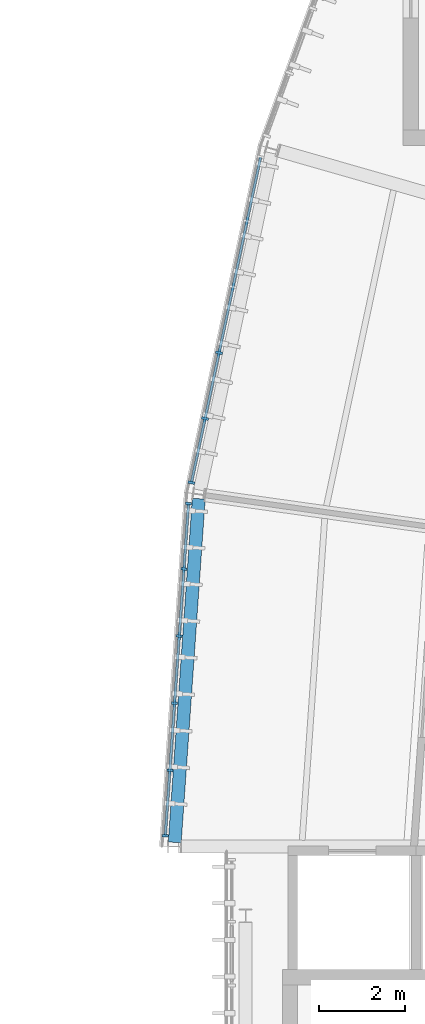
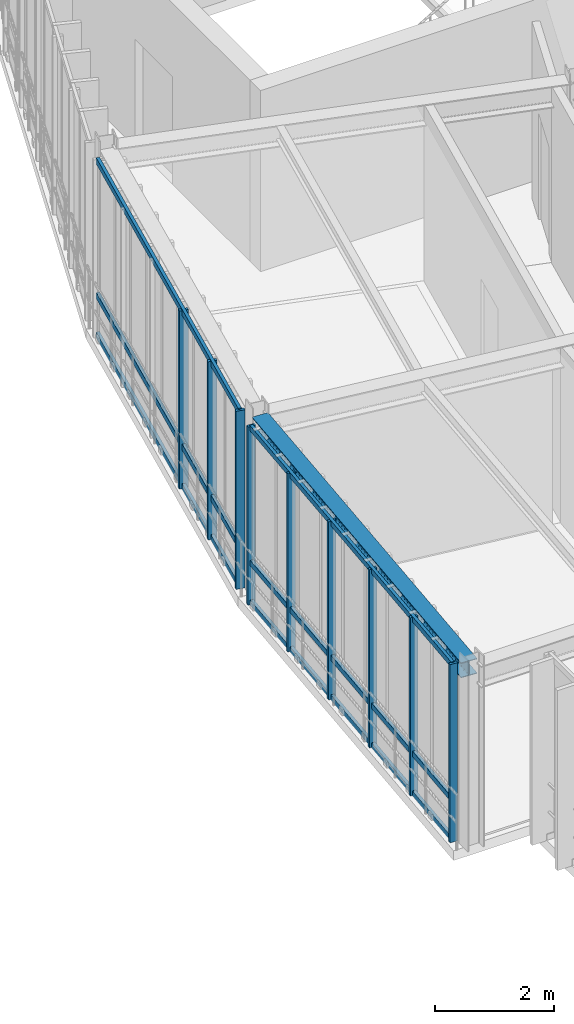
# One storey, part 7 of 42: 15 members, 1 beam, 2 elements without a shape of their own.
"""IFC4 building model written with IfcOpenShell, lengths in metres."""

from ifc_helpers import new_model, si_unit, direction, frame, origin, origin_2d, place, context, subcontext, project, spatial, rectangle, i_section, extrude, material, layer, layer_set, material_profile, profile_set, type_object, element, aggregate, save


model = new_model("IFC4")

# Units and contexts
model_context = context("Model", 3, precision=1e-05, world=origin(), true_north=direction((0.0, 1.0)))
body_context = subcontext(model_context, "Body", "Model", "MODEL_VIEW")
ifc_project = project(units=[si_unit("LENGTHUNIT", "METRE"), si_unit("AREAUNIT", "SQUARE_METRE"), si_unit("VOLUMEUNIT", "CUBIC_METRE"), si_unit("PLANEANGLEUNIT", "RADIAN"), si_unit("MASSUNIT", "GRAM", prefix="KILO"), si_unit("THERMODYNAMICTEMPERATUREUNIT", "KELVIN"), si_unit("POWERUNIT", "WATT")], contexts=[model_context])

# Site, building, storey
site_placement = place(None, origin())
site = spatial("IfcSite", under=ifc_project, at=site_placement, CompositionType="ELEMENT")
building_placement = place(site_placement, origin())
building = spatial("IfcBuilding", under=site, at=building_placement, Name="Solvatero Civic Police Headquarters", CompositionType="ELEMENT")
storey_placement = place(building_placement, frame((0.0, 0.0, 21.60009765625)))
storey = spatial("IfcBuildingStorey", under=building, at=storey_placement, Name="L05", CompositionType="ELEMENT", Elevation=21.60009765625)

# Beam
ifc_material_1 = material(Name="Steel S355", Category="steel")
ifc_material_profile_1 = material_profile(ifc_material_1, i_section(OverallWidth=0.300048828125, OverallDepth=0.31005859375, WebThickness=0.009033203125, FlangeThickness=0.015380859375, FilletRadius=0.027099609375, at=origin_2d()), Name="HEA 320")
ifc_profile_set_1 = profile_set([ifc_material_profile_1], Name="Steel S355")
beam_type = type_object("IfcBeamType", Name="BM-ST-HEA320", PredefinedType="SPANDREL", material=ifc_profile_set_1)
beam_placement = place(storey_placement, frame((35.913818359375, 34.062744140625, 3.544921875), z_axis=(-0.06976460332, -0.997563481751, 0.0), x_axis=(0.997563481751, -0.06976460332, 0.0)))
element("IfcBeam", 1, at=beam_placement, inside=storey, type_object=beam_type, Name="Perimeter / radial spandrel beam BM-R2-L05-ARC-COUT-B12", PredefinedType="SPANDREL", context=body_context, shape_type="SweptSolid", body=[
    extrude(i_section(OverallWidth=0.300048828125, OverallDepth=0.31005859375, WebThickness=0.009033203125, FlangeThickness=0.015380859375, FilletRadius=0.027099609375, at=origin_2d()), origin(), (0.0, 0.0, 1.0), 7.982421875),
])

# Curtain wall, members
ifc_material_2 = material(Name="Anodized Bronze Aluminium", Category="aluminium")
ifc_layer = layer(ifc_material_2, 0.179931640625)
ifc_layer_set = layer_set([ifc_layer], Name="Anodized Bronze Aluminium")
curtain_wall_type = type_object("IfcCurtainWallType", Name="CW-ARC-OUT", PredefinedType="USERDEFINED", material=ifc_layer_set)
curtain_wall_1_placement = place(storey_placement, origin())
curtain_wall_1 = element("IfcCurtainWall", 2, at=curtain_wall_1_placement, inside=storey, type_object=curtain_wall_type, Name="Curtain Wall CW-R2-L05-ARC-OUT-B12", ObjectType="UNITISED", PredefinedType="USERDEFINED")
ifc_material_profile_2 = material_profile(ifc_material_2, rectangle(XDim=0.06005859375, YDim=0.139892578125, at=origin_2d()), Name="ALU MULLION 60x140")
ifc_profile_set_2 = profile_set([ifc_material_profile_2], Name="Anodized Bronze Aluminium")
member_type_1 = type_object("IfcMemberType", Name="CWM-160x65", PredefinedType="MULLION", material=ifc_profile_set_2)
member_1_placement = place(storey_placement, frame((35.67578125, 33.94921875, 0.0), z_axis=(0.0, 0.0, 1.0), x_axis=(-0.069739062956, -0.997565267588, 0.0)))
member_1 = element("IfcMember", 3, at=member_1_placement, type_object=member_type_1, Name="CW-R2-L05-ARC-OUT-B12 Mullion 1", PredefinedType="MULLION", context=body_context, shape_type="SweptSolid", body=[
    extrude(rectangle(XDim=0.06005859375, YDim=0.139892578125, at=origin_2d()), origin(), (0.0, 0.0, 1.0), 3.639892578125),
])
member_2_placement = place(storey_placement, frame((35.56982421875, 32.434326171875, 0.0), z_axis=(0.0, 0.0, 1.0), x_axis=(-0.069739062956, -0.997565267588, 0.0)))
member_2 = element("IfcMember", 4, at=member_2_placement, type_object=member_type_1, Name="CW-R2-L05-ARC-OUT-B12 Mullion 2", PredefinedType="MULLION", context=body_context, shape_type="SweptSolid", body=[
    extrude(rectangle(XDim=0.06005859375, YDim=0.139892578125, at=origin_2d()), origin(), (0.0, 0.0, 1.0), 3.639892578125),
])
member_3_placement = place(storey_placement, frame((35.461181640625, 30.879638671875, 0.0), z_axis=(0.0, 0.0, 1.0), x_axis=(-0.069739062956, -0.997565267588, 0.0)))
member_3 = element("IfcMember", 5, at=member_3_placement, type_object=member_type_1, Name="CW-R2-L05-ARC-OUT-B12 Mullion 3", PredefinedType="MULLION", context=body_context, shape_type="SweptSolid", body=[
    extrude(rectangle(XDim=0.06005859375, YDim=0.139892578125, at=origin_2d()), origin(), (0.0, 0.0, 1.0), 3.639892578125),
])
member_4_placement = place(storey_placement, frame((35.3525390625, 29.324951171875, 0.0), z_axis=(0.0, 0.0, 1.0), x_axis=(-0.069739062956, -0.997565267588, 0.0)))
member_4 = element("IfcMember", 6, at=member_4_placement, type_object=member_type_1, Name="CW-R2-L05-ARC-OUT-B12 Mullion 4", PredefinedType="MULLION", context=body_context, shape_type="SweptSolid", body=[
    extrude(rectangle(XDim=0.06005859375, YDim=0.139892578125, at=origin_2d()), origin(), (0.0, 0.0, 1.0), 3.639892578125),
])
member_5_placement = place(storey_placement, frame((35.243896484375, 27.770263671875, 0.0), z_axis=(0.0, 0.0, 1.0), x_axis=(-0.069739062956, -0.997565267588, 0.0)))
member_5 = element("IfcMember", 7, at=member_5_placement, type_object=member_type_1, Name="CW-R2-L05-ARC-OUT-B12 Mullion 5", PredefinedType="MULLION", context=body_context, shape_type="SweptSolid", body=[
    extrude(rectangle(XDim=0.06005859375, YDim=0.139892578125, at=origin_2d()), origin(), (0.0, 0.0, 1.0), 3.639892578125),
])
member_6_placement = place(storey_placement, frame((35.1376953125, 26.25537109375, 0.0), z_axis=(0.0, 0.0, 1.0), x_axis=(-0.069739062956, -0.997565267588, 0.0)))
member_6 = element("IfcMember", 8, at=member_6_placement, type_object=member_type_1, Name="CW-R2-L05-ARC-OUT-B12 Mullion 6", PredefinedType="MULLION", context=body_context, shape_type="SweptSolid", body=[
    extrude(rectangle(XDim=0.06005859375, YDim=0.139892578125, at=origin_2d()), origin(), (0.0, 0.0, 1.0), 3.639892578125),
])

curtain_wall_2_placement = place(storey_placement, origin())
curtain_wall_2 = element("IfcCurtainWall", 9, at=curtain_wall_2_placement, inside=storey, type_object=curtain_wall_type, Name="Curtain Wall CW-R2-L05-ARC-OUT-B11", ObjectType="UNITISED", PredefinedType="USERDEFINED")
ifc_material_profile_3 = material_profile(ifc_material_2, rectangle(XDim=0.06005859375, YDim=0.159912109375, at=origin_2d()), Name="ALU MULLION 60x160")
ifc_profile_set_3 = profile_set([ifc_material_profile_3], Name="Anodized Bronze Aluminium")
member_type_2 = type_object("IfcMemberType", Name="CWM-180x70", PredefinedType="MULLION", material=ifc_profile_set_3)
member_7_placement = place(storey_placement, frame((36.3837890625, 37.44482421875, 0.0), z_axis=(0.0, 0.0, 1.0), x_axis=(-0.207911690818, -0.978147600734, 0.0)))
member_7 = element("IfcMember", 10, at=member_7_placement, type_object=member_type_2, Name="CW-R2-L05-ARC-OUT-B11 Mullion 4", PredefinedType="MULLION", context=body_context, shape_type="SweptSolid", body=[
    extrude(rectangle(XDim=0.06005859375, YDim=0.159912109375, at=origin_2d()), origin(), (0.0, 0.0, 1.0), 3.639892578125),
])
member_8_placement = place(storey_placement, frame((36.059814453125, 35.92041015625, 0.0), z_axis=(0.0, 0.0, 1.0), x_axis=(-0.207911690818, -0.978147600734, 0.0)))
member_8 = element("IfcMember", 11, at=member_8_placement, type_object=member_type_2, Name="CW-R2-L05-ARC-OUT-B11 Mullion 5", PredefinedType="MULLION", context=body_context, shape_type="SweptSolid", body=[
    extrude(rectangle(XDim=0.06005859375, YDim=0.159912109375, at=origin_2d()), origin(), (0.0, 0.0, 1.0), 3.639892578125),
])
member_9_placement = place(storey_placement, frame((35.744140625, 34.435302734375, 0.0), z_axis=(0.0, 0.0, 1.0), x_axis=(-0.207911690818, -0.978147600734, 0.0)))
member_9 = element("IfcMember", 12, at=member_9_placement, type_object=member_type_2, Name="CW-R2-L05-ARC-OUT-B11 Mullion 6", PredefinedType="MULLION", context=body_context, shape_type="SweptSolid", body=[
    extrude(rectangle(XDim=0.06005859375, YDim=0.159912109375, at=origin_2d()), origin(), (0.0, 0.0, 1.0), 3.639892578125),
])

# Member
ifc_material_profile_4 = material_profile(ifc_material_2, rectangle(XDim=0.06005859375, YDim=0.110107421875, at=origin_2d()), Name="ALU TRANSOM 60x110")
ifc_profile_set_4 = profile_set([ifc_material_profile_4], Name="Anodized Bronze Aluminium")
member_type_3 = type_object("IfcMemberType", Name="CWT-140x60", PredefinedType="USERDEFINED", material=ifc_profile_set_4)
member_10_placement = place(storey_placement, frame((35.675048828125, 33.939208984375, 0.039794921875), z_axis=(-0.069726799956, -0.99756612481, 0.0), x_axis=(0.99756612481, -0.069726799956, 0.0)))
member_10 = element("IfcMember", 13, at=member_10_placement, type_object=member_type_3, Name="CW-R2-L05-ARC-OUT-B12 Transom 1", ObjectType="TRANSOM", PredefinedType="USERDEFINED", context=body_context, shape_type="SweptSolid", body=[
    extrude(rectangle(XDim=0.06005859375, YDim=0.110107421875, at=origin_2d()), origin(), (0.0, 0.0, 1.0), 7.692626953125),
])

member_11_placement = place(storey_placement, frame((35.675048828125, 33.939208984375, 0.849853515625), z_axis=(-0.069726799956, -0.99756612481, 0.0), x_axis=(0.99756612481, -0.069726799956, 0.0)))
member_11 = element("IfcMember", 14, at=member_11_placement, type_object=member_type_3, Name="CW-R2-L05-ARC-OUT-B12 Transom 2", ObjectType="TRANSOM", PredefinedType="USERDEFINED", context=body_context, shape_type="SweptSolid", body=[
    extrude(rectangle(XDim=0.06005859375, YDim=0.110107421875, at=origin_2d()), origin(), (0.0, 0.0, 1.0), 7.692626953125),
])

member_12_placement = place(storey_placement, frame((35.675048828125, 33.939208984375, 3.599853515625), z_axis=(-0.069726799956, -0.99756612481, 0.0), x_axis=(0.99756612481, -0.069726799956, 0.0)))
member_12 = element("IfcMember", 15, at=member_12_placement, type_object=member_type_3, Name="CW-R2-L05-ARC-OUT-B12 Transom 3", ObjectType="TRANSOM", PredefinedType="USERDEFINED", context=body_context, shape_type="SweptSolid", body=[
    extrude(rectangle(XDim=0.06005859375, YDim=0.110107421875, at=origin_2d()), origin(), (0.0, 0.0, 1.0), 7.692626953125),
])

aggregate(curtain_wall_1, [member_1, member_2, member_3, member_4, member_5, member_6, member_10, member_11, member_12])

ifc_material_profile_5 = material_profile(ifc_material_2, rectangle(XDim=0.06005859375, YDim=0.125, at=origin_2d()), Name="ALU TRANSOM 60x125")
ifc_profile_set_5 = profile_set([ifc_material_profile_5], Name="Anodized Bronze Aluminium")
member_type_4 = type_object("IfcMemberType", Name="CWT-160x65", PredefinedType="USERDEFINED", material=ifc_profile_set_5)
member_13_placement = place(storey_placement, frame((37.345703125, 41.96923828125, 0.039794921875), z_axis=(-0.207918350961, -0.978146185053, 0.0), x_axis=(0.978146185053, -0.207918350961, 0.0)))
member_13 = element("IfcMember", 16, at=member_13_placement, type_object=member_type_4, Name="CW-R2-L05-ARC-OUT-B11 Transom 1", ObjectType="TRANSOM", PredefinedType="USERDEFINED", context=body_context, shape_type="SweptSolid", body=[
    extrude(rectangle(XDim=0.06005859375, YDim=0.125, at=origin_2d()), origin(), (0.0, 0.0, 1.0), 7.6923828125),
])

member_14_placement = place(storey_placement, frame((37.345703125, 41.96923828125, 0.849853515625), z_axis=(-0.207918350961, -0.978146185053, 0.0), x_axis=(0.978146185053, -0.207918350961, 0.0)))
member_14 = element("IfcMember", 17, at=member_14_placement, type_object=member_type_4, Name="CW-R2-L05-ARC-OUT-B11 Transom 2", ObjectType="TRANSOM", PredefinedType="USERDEFINED", context=body_context, shape_type="SweptSolid", body=[
    extrude(rectangle(XDim=0.06005859375, YDim=0.125, at=origin_2d()), origin(), (0.0, 0.0, 1.0), 7.6923828125),
])

member_15_placement = place(storey_placement, frame((37.345703125, 41.96923828125, 3.599853515625), z_axis=(-0.207918350961, -0.978146185053, 0.0), x_axis=(0.978146185053, -0.207918350961, 0.0)))
member_15 = element("IfcMember", 18, at=member_15_placement, type_object=member_type_4, Name="CW-R2-L05-ARC-OUT-B11 Transom 3", ObjectType="TRANSOM", PredefinedType="USERDEFINED", context=body_context, shape_type="SweptSolid", body=[
    extrude(rectangle(XDim=0.06005859375, YDim=0.125, at=origin_2d()), origin(), (0.0, 0.0, 1.0), 7.6923828125),
])

aggregate(curtain_wall_2, [member_7, member_8, member_9, member_13, member_14, member_15])

save(model, "model.ifc")
